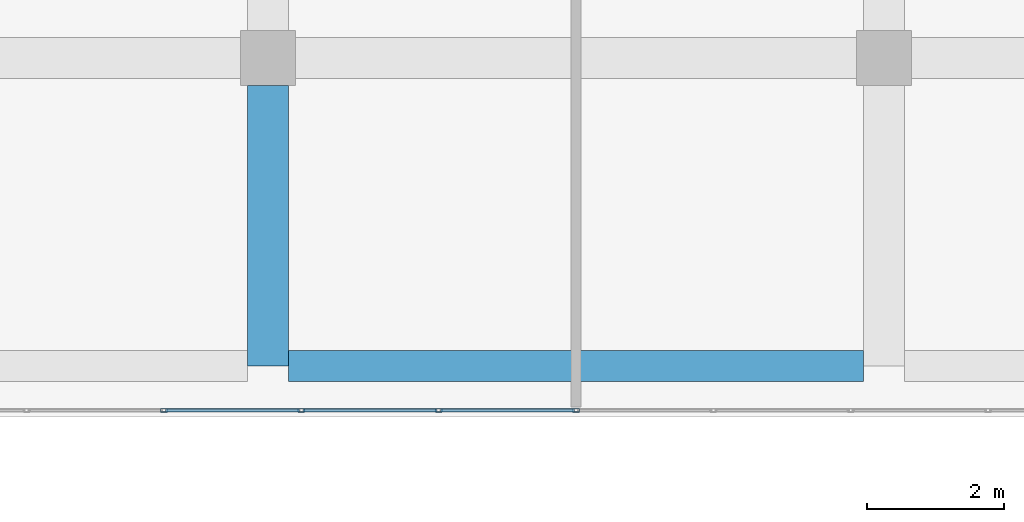
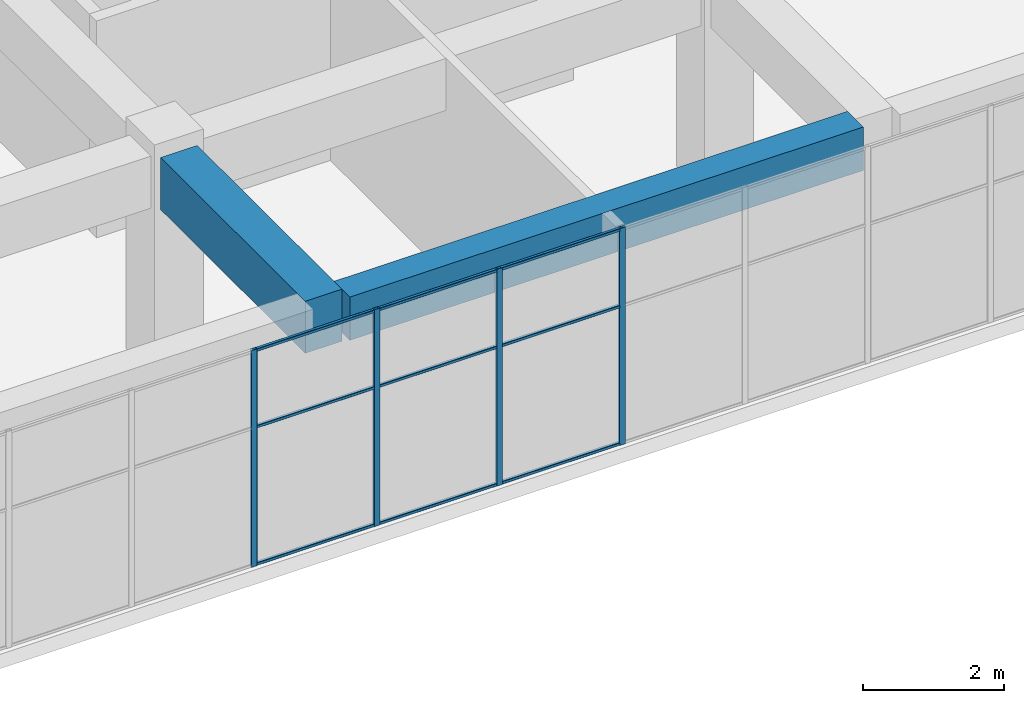
# One storey, part 18 of 65: 13 members, 2 beams, 1 element without a shape of its own.
"""IFC4 building model written with IfcOpenShell, lengths in metres."""

from ifc_helpers import new_model, si_unit, direction, frame, origin, origin_2d, place, context, subcontext, project, spatial, rectangle, hollow_rectangle, extrude, material, layer, layer_set, material_profile, profile_set, type_object, element, aggregate, save


model = new_model("IFC4")

# Units and contexts
model_context = context("Model", 3, precision=1e-05, world=origin(), true_north=direction((0.0, 1.0)))
body_context = subcontext(model_context, "Body", "Model", "MODEL_VIEW")
ifc_project = project(units=[si_unit("LENGTHUNIT", "METRE"), si_unit("AREAUNIT", "SQUARE_METRE"), si_unit("VOLUMEUNIT", "CUBIC_METRE"), si_unit("PLANEANGLEUNIT", "RADIAN"), si_unit("MASSUNIT", "GRAM", prefix="KILO")], contexts=[model_context])

# Site, building, storey
site_placement = place(None, origin())
site = spatial("IfcSite", under=ifc_project, at=site_placement, CompositionType="ELEMENT")
building_placement = place(site_placement, origin())
building = spatial("IfcBuilding", under=site, at=building_placement, Name="Tuart Plaza Theatre", CompositionType="ELEMENT")
storey_placement = place(building_placement, frame((0.0, 0.0, 9.5)))
storey = spatial("IfcBuildingStorey", under=building, at=storey_placement, Name="L02", CompositionType="ELEMENT", Elevation=9.5)

# Beams
ifc_material_1 = material(Name="Concrete N40 (40 MPa)", Category="concrete")
ifc_material_profile_1 = material_profile(ifc_material_1, rectangle(XDim=0.449951171875, YDim=0.75, at=origin_2d()), Name="BEAM 450x750 Concrete N40 (40 MPa)")
ifc_profile_set_1 = profile_set([ifc_material_profile_1], Name="Concrete N40 (40 MPa)")
beam_type_1 = type_object("IfcBeamType", Name="BEAM 450x750 Concrete N40 (40 MPa)", PredefinedType="BEAM", material=ifc_profile_set_1)
beam_1_placement = place(storey_placement, frame((132.300048828125, 51.5, 3.375), z_axis=(1.0, 0.0, 0.0), x_axis=(0.0, 1.0, 0.0)))
element("IfcBeam", 1, at=beam_1_placement, inside=storey, type_object=beam_type_1, Name="RB182", PredefinedType="BEAM", context=body_context, shape_type="SweptSolid", body=[
    extrude(rectangle(XDim=0.449951171875, YDim=0.75, at=origin_2d()), origin(), (0.0, 0.0, 1.0), 8.39990234375),
])
ifc_material_2 = material(Name="Concrete N40 (40 MPa)", Category="concrete")
ifc_material_profile_2 = material_profile(ifc_material_2, rectangle(XDim=0.60009765625, YDim=0.89990234375, at=origin_2d()), Name="BEAM 600x900 Concrete N40 (40 MPa)")
ifc_profile_set_2 = profile_set([ifc_material_profile_2], Name="Concrete N40 (40 MPa)")
beam_type_2 = type_object("IfcBeamType", Name="BEAM 600x900 Concrete N40 (40 MPa)", PredefinedType="BEAM", material=ifc_profile_set_2)
beam_2_placement = place(storey_placement, frame((132.0, 51.5, 3.300048828125), z_axis=(0.0, 1.0, 0.0), x_axis=(-1.0, 0.0, 0.0)))
element("IfcBeam", 2, at=beam_2_placement, inside=storey, type_object=beam_type_2, Name="RB181", PredefinedType="BEAM", context=body_context, shape_type="SweptSolid", body=[
    extrude(rectangle(XDim=0.60009765625, YDim=0.89990234375, at=origin_2d()), origin(), (0.0, 0.0, 1.0), 4.10009765625),
])

# Curtain wall, members
ifc_material_3 = material(Name="Aluminium and glass", Category="aluminium")
ifc_layer = layer(ifc_material_3, 0.10009765625)
ifc_layer_set = layer_set([ifc_layer], Name="CURTAIN WALL 2000 module")
curtain_wall_type = type_object("IfcCurtainWallType", Name="CURTAIN WALL 2000 module", PredefinedType="NOTDEFINED", material=ifc_layer_set)
curtain_wall_placement = place(storey_placement, origin())
curtain_wall = element("IfcCurtainWall", 3, at=curtain_wall_placement, inside=storey, type_object=curtain_wall_type, Name="CW68", PredefinedType="NOTDEFINED")
ifc_material_4 = material(Name="Aluminium 6063-T5", Category="aluminium")
ifc_material_profile_3 = material_profile(ifc_material_4, hollow_rectangle(XDim=0.050048828125, YDim=0.10009765625, WallThickness=0.00390625, InnerFilletRadius=0.00390625, OuterFilletRadius=0.008056640625, at=origin_2d()), Name="RHS 100x50x4")
ifc_profile_set_3 = profile_set([ifc_material_profile_3], Name="Aluminium 6063-T5")
member_type_1 = type_object("IfcMemberType", Name="MULLION RHS 100x50x4", PredefinedType="MULLION", material=ifc_profile_set_3)
member_1_placement = place(storey_placement, frame((130.478515625, 50.85009765625, 0.0), z_axis=(0.0, 0.0, 1.0), x_axis=(0.0, 1.0, 0.0)))
member_1 = element("IfcMember", 4, at=member_1_placement, type_object=member_type_1, Name="CW68 mullion 5", PredefinedType="MULLION", context=body_context, shape_type="SweptSolid", body=[
    extrude(hollow_rectangle(XDim=0.050048828125, YDim=0.10009765625, WallThickness=0.00390625, InnerFilletRadius=0.00390625, OuterFilletRadius=0.008056640625, at=origin_2d()), origin(), (0.0, 0.0, 1.0), 3.75),
])
member_2_placement = place(storey_placement, frame((132.485595703125, 50.85009765625, 0.0), z_axis=(0.0, 0.0, 1.0), x_axis=(0.0, 1.0, 0.0)))
member_2 = element("IfcMember", 5, at=member_2_placement, type_object=member_type_1, Name="CW68 mullion 6", PredefinedType="MULLION", context=body_context, shape_type="SweptSolid", body=[
    extrude(hollow_rectangle(XDim=0.050048828125, YDim=0.10009765625, WallThickness=0.00390625, InnerFilletRadius=0.00390625, OuterFilletRadius=0.008056640625, at=origin_2d()), origin(), (0.0, 0.0, 1.0), 3.75),
])
member_3_placement = place(storey_placement, frame((134.492919921875, 50.85009765625, 0.0), z_axis=(0.0, 0.0, 1.0), x_axis=(0.0, 1.0, 0.0)))
member_3 = element("IfcMember", 6, at=member_3_placement, type_object=member_type_1, Name="CW68 mullion 7", PredefinedType="MULLION", context=body_context, shape_type="SweptSolid", body=[
    extrude(hollow_rectangle(XDim=0.050048828125, YDim=0.10009765625, WallThickness=0.00390625, InnerFilletRadius=0.00390625, OuterFilletRadius=0.008056640625, at=origin_2d()), origin(), (0.0, 0.0, 1.0), 3.75),
])
member_4_placement = place(storey_placement, frame((136.5, 50.85009765625, 0.0), z_axis=(0.0, 0.0, 1.0), x_axis=(0.0, 1.0, 0.0)))
member_4 = element("IfcMember", 7, at=member_4_placement, type_object=member_type_1, Name="CW68 mullion 8", PredefinedType="MULLION", context=body_context, shape_type="SweptSolid", body=[
    extrude(hollow_rectangle(XDim=0.050048828125, YDim=0.10009765625, WallThickness=0.00390625, InnerFilletRadius=0.00390625, OuterFilletRadius=0.008056640625, at=origin_2d()), origin(), (0.0, 0.0, 1.0), 3.75),
])
ifc_material_5 = material(Name="Aluminium 6063-T5", Category="aluminium")
ifc_material_profile_4 = material_profile(ifc_material_5, hollow_rectangle(XDim=0.050048828125, YDim=0.050048828125, WallThickness=0.00390625, InnerFilletRadius=0.00390625, OuterFilletRadius=0.008056640625, at=origin_2d()), Name="RHS 50x50x4")
ifc_profile_set_4 = profile_set([ifc_material_profile_4], Name="Aluminium 6063-T5")
member_type_2 = type_object("IfcMemberType", Name="TRANSOM RHS 50x50x4", PredefinedType="USERDEFINED", material=ifc_profile_set_4)
member_5_placement = place(storey_placement, frame((130.503662109375, 50.85009765625, 0.02490234375), z_axis=(1.0, 0.0, 0.0), x_axis=(0.0, 1.0, 0.0)))
member_5 = element("IfcMember", 8, at=member_5_placement, type_object=member_type_2, Name="CW68 transom 5.1", ObjectType="TRANSOM", PredefinedType="USERDEFINED", context=body_context, shape_type="SweptSolid", body=[
    extrude(hollow_rectangle(XDim=0.050048828125, YDim=0.050048828125, WallThickness=0.00390625, InnerFilletRadius=0.00390625, OuterFilletRadius=0.008056640625, at=origin_2d()), origin(), (0.0, 0.0, 1.0), 1.95703125),
])
member_6_placement = place(storey_placement, frame((130.503662109375, 50.85009765625, 2.39990234375), z_axis=(1.0, 0.0, 0.0), x_axis=(0.0, 1.0, 0.0)))
member_6 = element("IfcMember", 9, at=member_6_placement, type_object=member_type_2, Name="CW68 transom 5.2", ObjectType="TRANSOM", PredefinedType="USERDEFINED", context=body_context, shape_type="SweptSolid", body=[
    extrude(hollow_rectangle(XDim=0.050048828125, YDim=0.050048828125, WallThickness=0.00390625, InnerFilletRadius=0.00390625, OuterFilletRadius=0.008056640625, at=origin_2d()), origin(), (0.0, 0.0, 1.0), 1.95703125),
])
member_7_placement = place(storey_placement, frame((130.503662109375, 50.85009765625, 3.72509765625), z_axis=(1.0, 0.0, 0.0), x_axis=(0.0, 1.0, 0.0)))
member_7 = element("IfcMember", 10, at=member_7_placement, type_object=member_type_2, Name="CW68 transom 5.3", ObjectType="TRANSOM", PredefinedType="USERDEFINED", context=body_context, shape_type="SweptSolid", body=[
    extrude(hollow_rectangle(XDim=0.050048828125, YDim=0.050048828125, WallThickness=0.00390625, InnerFilletRadius=0.00390625, OuterFilletRadius=0.008056640625, at=origin_2d()), origin(), (0.0, 0.0, 1.0), 1.95703125),
])
member_8_placement = place(storey_placement, frame((132.5107421875, 50.85009765625, 0.02490234375), z_axis=(1.0, 0.0, 0.0), x_axis=(0.0, 1.0, 0.0)))
member_8 = element("IfcMember", 11, at=member_8_placement, type_object=member_type_2, Name="CW68 transom 6.1", ObjectType="TRANSOM", PredefinedType="USERDEFINED", context=body_context, shape_type="SweptSolid", body=[
    extrude(hollow_rectangle(XDim=0.050048828125, YDim=0.050048828125, WallThickness=0.00390625, InnerFilletRadius=0.00390625, OuterFilletRadius=0.008056640625, at=origin_2d()), origin(), (0.0, 0.0, 1.0), 1.95703125),
])
member_9_placement = place(storey_placement, frame((132.5107421875, 50.85009765625, 2.39990234375), z_axis=(1.0, 0.0, 0.0), x_axis=(0.0, 1.0, 0.0)))
member_9 = element("IfcMember", 12, at=member_9_placement, type_object=member_type_2, Name="CW68 transom 6.2", ObjectType="TRANSOM", PredefinedType="USERDEFINED", context=body_context, shape_type="SweptSolid", body=[
    extrude(hollow_rectangle(XDim=0.050048828125, YDim=0.050048828125, WallThickness=0.00390625, InnerFilletRadius=0.00390625, OuterFilletRadius=0.008056640625, at=origin_2d()), origin(), (0.0, 0.0, 1.0), 1.95703125),
])
member_10_placement = place(storey_placement, frame((132.5107421875, 50.85009765625, 3.72509765625), z_axis=(1.0, 0.0, 0.0), x_axis=(0.0, 1.0, 0.0)))
member_10 = element("IfcMember", 13, at=member_10_placement, type_object=member_type_2, Name="CW68 transom 6.3", ObjectType="TRANSOM", PredefinedType="USERDEFINED", context=body_context, shape_type="SweptSolid", body=[
    extrude(hollow_rectangle(XDim=0.050048828125, YDim=0.050048828125, WallThickness=0.00390625, InnerFilletRadius=0.00390625, OuterFilletRadius=0.008056640625, at=origin_2d()), origin(), (0.0, 0.0, 1.0), 1.95703125),
])
member_11_placement = place(storey_placement, frame((134.517822265625, 50.85009765625, 0.02490234375), z_axis=(1.0, 0.0, 0.0), x_axis=(0.0, 1.0, 0.0)))
member_11 = element("IfcMember", 14, at=member_11_placement, type_object=member_type_2, Name="CW68 transom 7.1", ObjectType="TRANSOM", PredefinedType="USERDEFINED", context=body_context, shape_type="SweptSolid", body=[
    extrude(hollow_rectangle(XDim=0.050048828125, YDim=0.050048828125, WallThickness=0.00390625, InnerFilletRadius=0.00390625, OuterFilletRadius=0.008056640625, at=origin_2d()), origin(), (0.0, 0.0, 1.0), 1.957275390625),
])
member_12_placement = place(storey_placement, frame((134.517822265625, 50.85009765625, 2.39990234375), z_axis=(1.0, 0.0, 0.0), x_axis=(0.0, 1.0, 0.0)))
member_12 = element("IfcMember", 15, at=member_12_placement, type_object=member_type_2, Name="CW68 transom 7.2", ObjectType="TRANSOM", PredefinedType="USERDEFINED", context=body_context, shape_type="SweptSolid", body=[
    extrude(hollow_rectangle(XDim=0.050048828125, YDim=0.050048828125, WallThickness=0.00390625, InnerFilletRadius=0.00390625, OuterFilletRadius=0.008056640625, at=origin_2d()), origin(), (0.0, 0.0, 1.0), 1.957275390625),
])
member_13_placement = place(storey_placement, frame((134.517822265625, 50.85009765625, 3.72509765625), z_axis=(1.0, 0.0, 0.0), x_axis=(0.0, 1.0, 0.0)))
member_13 = element("IfcMember", 16, at=member_13_placement, type_object=member_type_2, Name="CW68 transom 7.3", ObjectType="TRANSOM", PredefinedType="USERDEFINED", context=body_context, shape_type="SweptSolid", body=[
    extrude(hollow_rectangle(XDim=0.050048828125, YDim=0.050048828125, WallThickness=0.00390625, InnerFilletRadius=0.00390625, OuterFilletRadius=0.008056640625, at=origin_2d()), origin(), (0.0, 0.0, 1.0), 1.957275390625),
])
aggregate(curtain_wall, [member_1, member_2, member_3, member_4, member_5, member_6, member_7, member_8, member_9, member_10, member_11, member_12, member_13])

save(model, "model.ifc")
